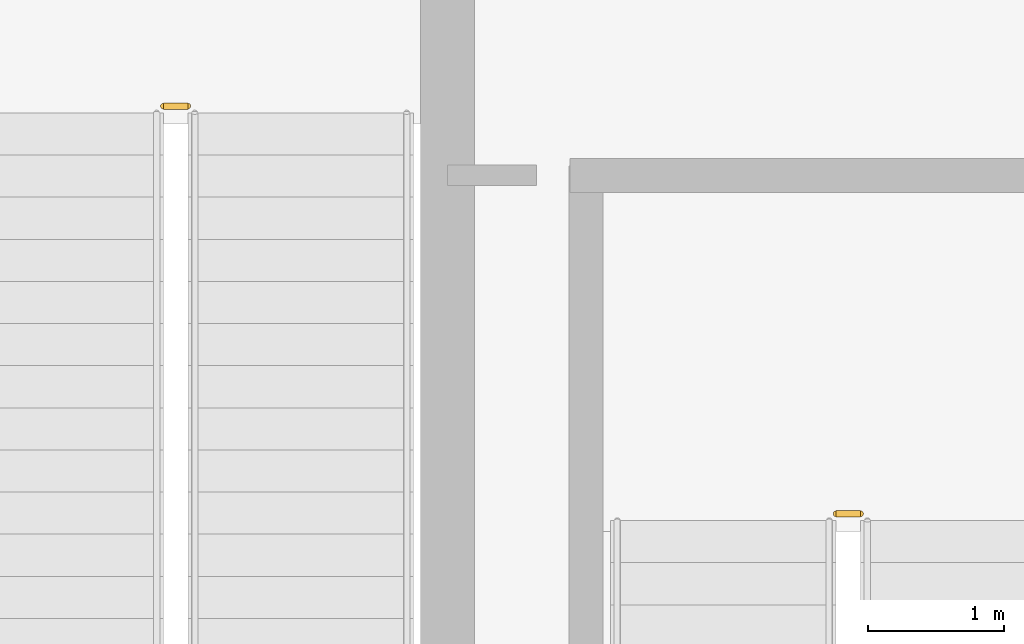
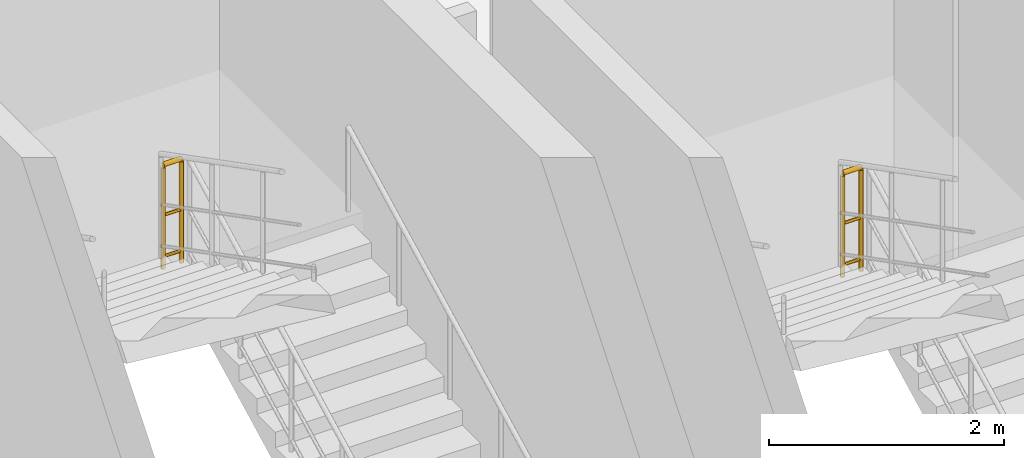
# One storey, part 24 of 24: 2 railings.
"""IFC4 building model written with IfcOpenShell, lengths in metres."""

from ifc_helpers import new_model, si_unit, direction, frame, origin, origin_2d, place, context, subcontext, project, spatial, circle, extrude, material, type_object, element, save


model = new_model("IFC4")

# Units and contexts
model_context = context("Model", 3, precision=1e-05, world=origin(), true_north=direction((0.0, 1.0)))
body_context = subcontext(model_context, "Body", "Model", "MODEL_VIEW")
ifc_project = project(units=[si_unit("LENGTHUNIT", "METRE"), si_unit("AREAUNIT", "SQUARE_METRE"), si_unit("VOLUMEUNIT", "CUBIC_METRE"), si_unit("PLANEANGLEUNIT", "RADIAN"), si_unit("MASSUNIT", "GRAM", prefix="KILO")], contexts=[model_context])

# Site, building, storey
site_placement = place(None, origin())
site = spatial("IfcSite", under=ifc_project, at=site_placement, CompositionType="ELEMENT")
building_placement = place(site_placement, origin())
building = spatial("IfcBuilding", under=site, at=building_placement, Name="Catumbela Crestline Tower", CompositionType="ELEMENT")
storey_placement = place(building_placement, frame((0.0, 0.0, 11.1)))
storey = spatial("IfcBuildingStorey", under=building, at=storey_placement, Name="L02", CompositionType="ELEMENT", Elevation=11.1)

# Railings
ifc_material = material(Name="Stainless steel EN 1.4401", Category="steel")
railing_type = type_object("IfcRailingType", Name="RG-1100", PredefinedType="GUARDRAIL", material=ifc_material)
for number, where, name in (
    (1, (38.09, 40.39, 2.4), "L02 ST-02 stair guard 2"),
    (2, (43.04, 37.39, 2.4), "L02 ST-04 stair guard 2"),
):
    element("IfcRailing", number, at=place(storey_placement, frame(where)), inside=storey, type_object=railing_type, Name=name, PredefinedType="GUARDRAIL", context=body_context, shape_type="SweptSolid", body=[
        extrude(circle(Radius=0.024, at=origin_2d()), frame((0.0, 0.0, 1.076), z_axis=(-1.0, 0.0, 0.0), x_axis=(0.0, -1.0, 0.0)), (0.0, 0.0, 1.0), 0.18),
        extrude(circle(Radius=0.0156, at=origin_2d()), frame((0.0, 0.0, 0.55), z_axis=(-1.0, 0.0, 0.0), x_axis=(0.0, -1.0, 0.0)), (0.0, 0.0, 1.0), 0.18),
        extrude(circle(Radius=0.0156, at=origin_2d()), frame((0.0, 0.0, 0.12), z_axis=(-1.0, 0.0, 0.0), x_axis=(0.0, -1.0, 0.0)), (0.0, 0.0, 1.0), 0.18),
        extrude(circle(Radius=0.021, at=origin_2d()), origin(), (0.0, 0.0, 1.0), 1.052),
        extrude(circle(Radius=0.021, at=origin_2d()), frame((-0.18, 0.0, 0.0)), (0.0, 0.0, 1.0), 1.052),
    ])

save(model, "model.ifc")
